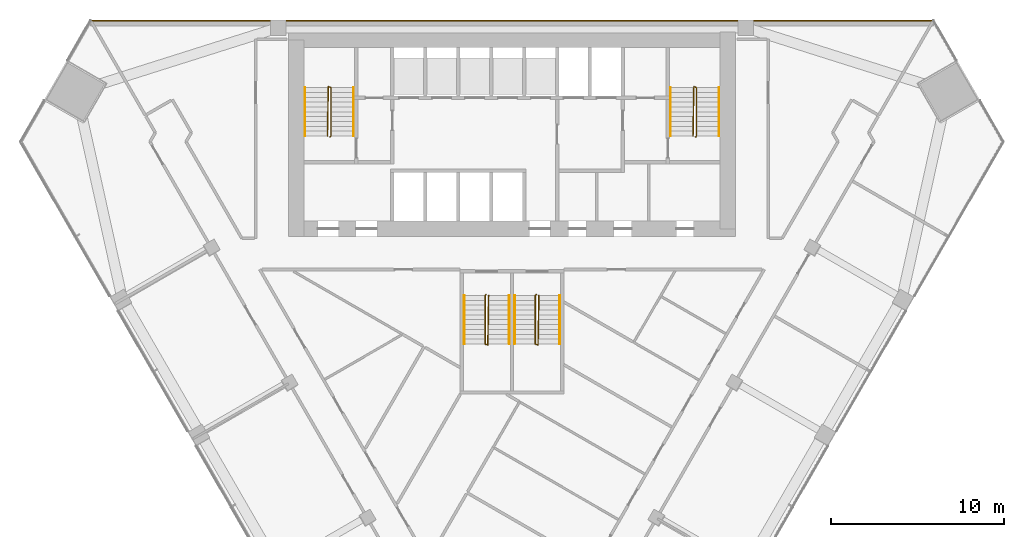
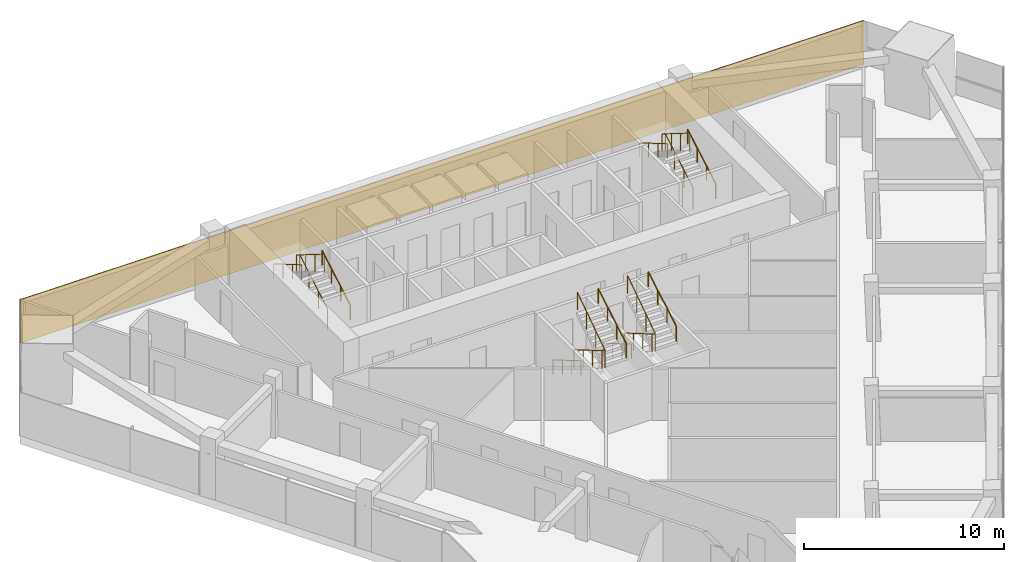
# One storey, part 13 of 14: 12 railings, 1 covering.
"""IFC4 building model written with IfcOpenShell, lengths in metres."""

from ifc_helpers import new_model, si_unit, direction, frame, frame_2d, origin, origin_2d, place, context, subcontext, project, spatial, rectangle, circle, extrude, material, layer, layer_set, type_object, element, save


model = new_model("IFC4")

# Units and contexts
model_context = context("Model", 3, precision=1e-05, world=origin(), true_north=direction((0.0, 1.0)))
body_context = subcontext(model_context, "Body", "Model", "MODEL_VIEW")
ifc_project = project(units=[si_unit("LENGTHUNIT", "METRE"), si_unit("AREAUNIT", "SQUARE_METRE"), si_unit("VOLUMEUNIT", "CUBIC_METRE"), si_unit("PLANEANGLEUNIT", "RADIAN"), si_unit("MASSUNIT", "GRAM", prefix="KILO")], contexts=[model_context])

# Site, building, storey
site_placement = place(None, origin())
site = spatial("IfcSite", under=ifc_project, at=site_placement, CompositionType="ELEMENT")
building_placement = place(site_placement, origin())
building = spatial("IfcBuilding", under=site, at=building_placement, Name="Altiplano Prism Tower", CompositionType="ELEMENT")
storey_placement = place(building_placement, frame((0.0, 0.0, 115.199951171875)))
storey = spatial("IfcBuildingStorey", under=building, at=storey_placement, Name="L29", CompositionType="ELEMENT", Elevation=115.199951171875)

# Railings
ifc_material_1 = material(Name="Steel S355", Category="steel")
railing_type_1 = type_object("IfcRailingType", Name="Stair guard 1100", PredefinedType="GUARDRAIL", material=ifc_material_1)
railing_1_placement = place(storey_placement, frame((74.5, 98.25, 0.0)))
element("IfcRailing", 1, at=railing_1_placement, inside=storey, type_object=railing_type_1, Name="L29 ST1 stair guard 1", PredefinedType="GUARDRAIL", context=body_context, shape_type="SweptSolid", body=[
    extrude(circle(Radius=0.02392578125, at=origin_2d()), frame((0.0, 0.0, 1.076171875), z_axis=(0.280808744504, 0.280808744504, 0.917765164963), x_axis=(-0.707106781187, 0.707106781187, 0.0)), (0.0, 0.0, 1.0), 0.17822265625),
    extrude(circle(Radius=0.02392578125, at=origin_2d()), frame((0.050048828125, 0.050048828125, 1.23974609375), z_axis=(0.0, 0.863360870873, 0.504586966384), x_axis=(-1.0, 0.0, 0.0)), (0.0, 0.0, 1.0), 3.2431640625),
    extrude(circle(Radius=0.02392578125, at=origin_2d()), frame((0.050048828125, 2.85009765625, 2.8759765625), z_axis=(-0.949145278916, 0.314838433982, 0.0), x_axis=(-0.314838433982, -0.949145278916, 0.0)), (0.0, 0.0, 1.0), 0.158203125),
    extrude(circle(Radius=0.02392578125, at=origin_2d()), frame((-0.10009765625, 2.89990234375, 2.8759765625), z_axis=(-0.01477401265, -0.845377694409, 0.533964682676), x_axis=(0.999847325713, -0.01747355902, 0.0)), (0.0, 0.0, 1.0), 3.37109375),
    extrude(circle(Radius=0.02099609375, at=origin_2d()), origin(), (0.0, 0.0, 1.0), 1.052001953125),
    extrude(circle(Radius=0.02099609375, at=origin_2d()), frame((0.050048828125, 0.050048828125, 0.16357421875)), (0.0, 0.0, 1.0), 1.052001953125),
    extrude(circle(Radius=0.02099609375, at=origin_2d()), frame((0.050048828125, 0.9833984375, 0.708984375)), (0.0, 0.0, 1.0), 1.052001953125),
    extrude(circle(Radius=0.02099609375, at=origin_2d()), frame((0.050048828125, 1.916748046875, 1.254638671875)), (0.0, 0.0, 1.0), 1.052001953125),
    extrude(circle(Radius=0.02099609375, at=origin_2d()), frame((0.050048828125, 2.85009765625, 1.800048828125)), (0.0, 0.0, 1.0), 1.052001953125),
    extrude(circle(Radius=0.02099609375, at=origin_2d()), frame((-0.10009765625, 2.89990234375, 1.800048828125)), (0.0, 0.0, 1.0), 1.052001953125),
    extrude(circle(Radius=0.02099609375, at=origin_2d()), frame((-0.11669921875, 1.949951171875, 2.400146484375)), (0.0, 0.0, 1.0), 1.052001953125),
    extrude(circle(Radius=0.02099609375, at=origin_2d()), frame((-0.13330078125, 1.0, 3.0)), (0.0, 0.0, 1.0), 1.052001953125),
    extrude(circle(Radius=0.02099609375, at=origin_2d()), frame((-0.14990234375, 0.050048828125, 3.60009765625)), (0.0, 0.0, 1.0), 1.052001953125),
])
railing_2_placement = place(storey_placement, frame((95.60009765625, 98.25, 0.0)))
element("IfcRailing", 2, at=railing_2_placement, inside=storey, type_object=railing_type_1, Name="L29 ST2 stair guard 1", PredefinedType="GUARDRAIL", context=body_context, shape_type="SweptSolid", body=[
    extrude(circle(Radius=0.02392578125, at=origin_2d()), frame((0.0, 0.0, 1.076171875), z_axis=(0.279546231943, 0.280916556609, 0.91811752648), x_axis=(-0.708833529934, 0.705375805398, 0.0)), (0.0, 0.0, 1.0), 0.17822265625),
    extrude(circle(Radius=0.02392578125, at=origin_2d()), frame((0.0498046875, 0.050048828125, 1.23974609375), z_axis=(0.0, 0.863360870873, 0.504586966384), x_axis=(-1.0, 0.0, 0.0)), (0.0, 0.0, 1.0), 3.2431640625),
    extrude(circle(Radius=0.02392578125, at=origin_2d()), frame((0.0498046875, 2.85009765625, 2.8759765625), z_axis=(-0.948991962702, 0.315300261223, 0.0), x_axis=(-0.315300261223, -0.948991962702, 0.0)), (0.0, 0.0, 1.0), 0.157958984375),
    extrude(circle(Radius=0.02392578125, at=origin_2d()), frame((-0.10009765625, 2.89990234375, 2.8759765625), z_axis=(-0.014846418356, -0.845376787675, 0.533964109957), x_axis=(0.999845825584, -0.017559187376, 0.0)), (0.0, 0.0, 1.0), 3.37109375),
    extrude(circle(Radius=0.02099609375, at=origin_2d()), origin(), (0.0, 0.0, 1.0), 1.052001953125),
    extrude(circle(Radius=0.02099609375, at=origin_2d()), frame((0.0498046875, 0.050048828125, 0.16357421875)), (0.0, 0.0, 1.0), 1.052001953125),
    extrude(circle(Radius=0.02099609375, at=origin_2d()), frame((0.0498046875, 0.9833984375, 0.708984375)), (0.0, 0.0, 1.0), 1.052001953125),
    extrude(circle(Radius=0.02099609375, at=origin_2d()), frame((0.0498046875, 1.916748046875, 1.254638671875)), (0.0, 0.0, 1.0), 1.052001953125),
    extrude(circle(Radius=0.02099609375, at=origin_2d()), frame((0.0498046875, 2.85009765625, 1.800048828125)), (0.0, 0.0, 1.0), 1.052001953125),
    extrude(circle(Radius=0.02099609375, at=origin_2d()), frame((-0.10009765625, 2.89990234375, 1.800048828125)), (0.0, 0.0, 1.0), 1.052001953125),
    extrude(circle(Radius=0.02099609375, at=origin_2d()), frame((-0.11669921875, 1.949951171875, 2.400146484375)), (0.0, 0.0, 1.0), 1.052001953125),
    extrude(circle(Radius=0.02099609375, at=origin_2d()), frame((-0.133544921875, 1.0, 3.0)), (0.0, 0.0, 1.0), 1.052001953125),
    extrude(circle(Radius=0.02099609375, at=origin_2d()), frame((-0.150146484375, 0.050048828125, 3.60009765625)), (0.0, 0.0, 1.0), 1.052001953125),
])
railing_3_placement = place(storey_placement, frame((83.5, 89.14990234375, 0.0)))
element("IfcRailing", 3, at=railing_3_placement, inside=storey, type_object=railing_type_1, Name="L29 ST3A stair guard 1", PredefinedType="GUARDRAIL", context=body_context, shape_type="SweptSolid", body=[
    extrude(circle(Radius=0.02392578125, at=origin_2d()), frame((0.0, 0.0, 1.076171875), z_axis=(-0.280916556609, -0.279546231943, 0.91811752648), x_axis=(0.705375805398, -0.708833529934, 0.0)), (0.0, 0.0, 1.0), 0.17822265625),
    extrude(circle(Radius=0.02392578125, at=origin_2d()), frame((-0.050048828125, -0.0498046875, 1.23974609375), z_axis=(0.0, -0.863360870873, 0.504586966384), x_axis=(1.0, 0.0, 0.0)), (0.0, 0.0, 1.0), 3.2431640625),
    extrude(circle(Radius=0.02392578125, at=origin_2d()), frame((-0.050048828125, -2.849853515625, 2.8759765625), z_axis=(0.948683298051, -0.316227766017, 0.0), x_axis=(0.316227766017, 0.948683298051, 0.0)), (0.0, 0.0, 1.0), 0.158203125),
    extrude(circle(Radius=0.02392578125, at=origin_2d()), frame((0.10009765625, -2.89990234375, 2.8759765625), z_axis=(0.014773108175, 0.84539835705, 0.533931993021), x_axis=(-0.999847351862, 0.017472062685, 0.0)), (0.0, 0.0, 1.0), 3.371337890625),
    extrude(circle(Radius=0.02099609375, at=origin_2d()), origin(), (0.0, 0.0, 1.0), 1.052001953125),
    extrude(circle(Radius=0.02099609375, at=origin_2d()), frame((-0.050048828125, -0.0498046875, 0.16357421875)), (0.0, 0.0, 1.0), 1.052001953125),
    extrude(circle(Radius=0.02099609375, at=origin_2d()), frame((-0.050048828125, -0.983154296875, 0.708984375)), (0.0, 0.0, 1.0), 1.052001953125),
    extrude(circle(Radius=0.02099609375, at=origin_2d()), frame((-0.050048828125, -1.91650390625, 1.254638671875)), (0.0, 0.0, 1.0), 1.052001953125),
    extrude(circle(Radius=0.02099609375, at=origin_2d()), frame((-0.050048828125, -2.849853515625, 1.800048828125)), (0.0, 0.0, 1.0), 1.052001953125),
    extrude(circle(Radius=0.02099609375, at=origin_2d()), frame((0.10009765625, -2.89990234375, 1.800048828125)), (0.0, 0.0, 1.0), 1.052001953125),
    extrude(circle(Radius=0.02099609375, at=origin_2d()), frame((0.11669921875, -1.949951171875, 2.400146484375)), (0.0, 0.0, 1.0), 1.052001953125),
    extrude(circle(Radius=0.02099609375, at=origin_2d()), frame((0.13330078125, -0.999755859375, 3.0)), (0.0, 0.0, 1.0), 1.052001953125),
    extrude(circle(Radius=0.02099609375, at=origin_2d()), frame((0.14990234375, -0.0498046875, 3.60009765625)), (0.0, 0.0, 1.0), 1.052001953125),
])
railing_4_placement = place(storey_placement, frame((86.39990234375, 89.14990234375, 0.0)))
element("IfcRailing", 4, at=railing_4_placement, inside=storey, type_object=railing_type_1, Name="L29 ST3B stair guard 1", PredefinedType="GUARDRAIL", context=body_context, shape_type="SweptSolid", body=[
    extrude(circle(Radius=0.02392578125, at=origin_2d()), frame((0.0, 0.0, 1.076171875), z_axis=(-0.279653641804, -0.279653641804, 0.918470294159), x_axis=(0.707106781187, -0.707106781187, 0.0)), (0.0, 0.0, 1.0), 0.177978515625),
    extrude(circle(Radius=0.02392578125, at=origin_2d()), frame((-0.0498046875, -0.0498046875, 1.23974609375), z_axis=(0.0, -0.863360870873, 0.504586966384), x_axis=(1.0, 0.0, 0.0)), (0.0, 0.0, 1.0), 3.2431640625),
    extrude(circle(Radius=0.02392578125, at=origin_2d()), frame((-0.0498046875, -2.849853515625, 2.8759765625), z_axis=(0.948528701346, -0.316691178788, 0.0), x_axis=(0.316691178788, 0.948528701346, 0.0)), (0.0, 0.0, 1.0), 0.157958984375),
    extrude(circle(Radius=0.02392578125, at=origin_2d()), frame((0.10009765625, -2.89990234375, 2.8759765625), z_axis=(0.014845509451, 0.845397450405, 0.533931420407), x_axis=(-0.999845851991, 0.017557683712, 0.0)), (0.0, 0.0, 1.0), 3.371337890625),
    extrude(circle(Radius=0.02099609375, at=origin_2d()), origin(), (0.0, 0.0, 1.0), 1.052001953125),
    extrude(circle(Radius=0.02099609375, at=origin_2d()), frame((-0.0498046875, -0.0498046875, 0.16357421875)), (0.0, 0.0, 1.0), 1.052001953125),
    extrude(circle(Radius=0.02099609375, at=origin_2d()), frame((-0.0498046875, -0.983154296875, 0.708984375)), (0.0, 0.0, 1.0), 1.052001953125),
    extrude(circle(Radius=0.02099609375, at=origin_2d()), frame((-0.0498046875, -1.91650390625, 1.254638671875)), (0.0, 0.0, 1.0), 1.052001953125),
    extrude(circle(Radius=0.02099609375, at=origin_2d()), frame((-0.0498046875, -2.849853515625, 1.800048828125)), (0.0, 0.0, 1.0), 1.052001953125),
    extrude(circle(Radius=0.02099609375, at=origin_2d()), frame((0.10009765625, -2.89990234375, 1.800048828125)), (0.0, 0.0, 1.0), 1.052001953125),
    extrude(circle(Radius=0.02099609375, at=origin_2d()), frame((0.11669921875, -1.949951171875, 2.400146484375)), (0.0, 0.0, 1.0), 1.052001953125),
    extrude(circle(Radius=0.02099609375, at=origin_2d()), frame((0.133544921875, -0.999755859375, 3.0)), (0.0, 0.0, 1.0), 1.052001953125),
    extrude(circle(Radius=0.02099609375, at=origin_2d()), frame((0.150146484375, -0.0498046875, 3.60009765625)), (0.0, 0.0, 1.0), 1.052001953125),
])
railing_type_2 = type_object("IfcRailingType", Name="Stair handrail 900", PredefinedType="HANDRAIL", material=ifc_material_1)
railing_5_placement = place(storey_placement, frame((75.85009765625, 98.300048828125, 0.16357421875)))
element("IfcRailing", 5, at=railing_5_placement, inside=storey, type_object=railing_type_2, Name="L29 ST1 stair handrail 1", PredefinedType="HANDRAIL", context=body_context, shape_type="SweptSolid", body=[
    extrude(circle(Radius=0.02392578125, at=origin_2d()), frame((0.0, 0.0, 0.8759765625), z_axis=(0.0, 0.863360870873, 0.504586966384), x_axis=(-1.0, 0.0, 0.0)), (0.0, 0.0, 1.0), 3.2431640625),
    extrude(circle(Radius=0.02099609375, at=origin_2d()), origin(), (0.0, 0.0, 1.0), 0.851806640625),
    extrude(circle(Radius=0.02099609375, at=origin_2d()), frame((0.0, 0.933349609375, 0.54541015625)), (0.0, 0.0, 1.0), 0.851806640625),
    extrude(circle(Radius=0.02099609375, at=origin_2d()), frame((0.0, 1.86669921875, 1.091064453125)), (0.0, 0.0, 1.0), 0.851806640625),
    extrude(circle(Radius=0.02099609375, at=origin_2d()), frame((0.0, 2.800048828125, 1.636474609375)), (0.0, 0.0, 1.0), 0.851806640625),
])
railing_6_placement = place(storey_placement, frame((73.050048828125, 101.10009765625, 1.963623046875)))
element("IfcRailing", 6, at=railing_6_placement, inside=storey, type_object=railing_type_2, Name="L29 ST1 stair handrail 2", PredefinedType="HANDRAIL", context=body_context, shape_type="SweptSolid", body=[
    extrude(circle(Radius=0.02392578125, at=origin_2d()), frame((0.0, 0.0, 0.8759765625), z_axis=(0.0, -0.863360870873, 0.504586966384), x_axis=(1.0, 0.0, 0.0)), (0.0, 0.0, 1.0), 3.2431640625),
    extrude(circle(Radius=0.02099609375, at=origin_2d()), origin(), (0.0, 0.0, 1.0), 0.851806640625),
    extrude(circle(Radius=0.02099609375, at=origin_2d()), frame((0.0, -0.933349609375, 0.54541015625)), (0.0, 0.0, 1.0), 0.851806640625),
    extrude(circle(Radius=0.02099609375, at=origin_2d()), frame((0.0, -1.86669921875, 1.091064453125)), (0.0, 0.0, 1.0), 0.851806640625),
    extrude(circle(Radius=0.02099609375, at=origin_2d()), frame((0.0, -2.800048828125, 1.636474609375)), (0.0, 0.0, 1.0), 0.851806640625),
])
railing_7_placement = place(storey_placement, frame((96.949951171875, 98.300048828125, 0.16357421875)))
element("IfcRailing", 7, at=railing_7_placement, inside=storey, type_object=railing_type_2, Name="L29 ST2 stair handrail 1", PredefinedType="HANDRAIL", context=body_context, shape_type="SweptSolid", body=[
    extrude(circle(Radius=0.02392578125, at=origin_2d()), frame((0.0, 0.0, 0.8759765625), z_axis=(0.0, 0.863360870873, 0.504586966384), x_axis=(-1.0, 0.0, 0.0)), (0.0, 0.0, 1.0), 3.2431640625),
    extrude(circle(Radius=0.02099609375, at=origin_2d()), origin(), (0.0, 0.0, 1.0), 0.851806640625),
    extrude(circle(Radius=0.02099609375, at=origin_2d()), frame((0.0, 0.933349609375, 0.54541015625)), (0.0, 0.0, 1.0), 0.851806640625),
    extrude(circle(Radius=0.02099609375, at=origin_2d()), frame((0.0, 1.86669921875, 1.091064453125)), (0.0, 0.0, 1.0), 0.851806640625),
    extrude(circle(Radius=0.02099609375, at=origin_2d()), frame((0.0, 2.800048828125, 1.636474609375)), (0.0, 0.0, 1.0), 0.851806640625),
])
for number, where, name in (
    (8, (94.14990234375, 101.10009765625, 1.963623046875), "L29 ST2 stair handrail 2"),
    (9, (82.25, 89.10009765625, 0.16357421875), "L29 ST3A stair handrail 1"),
):
    element("IfcRailing", number, at=place(storey_placement, frame(where)), inside=storey, type_object=railing_type_2, Name=name, PredefinedType="HANDRAIL", context=body_context, shape_type="SweptSolid", body=[
        extrude(circle(Radius=0.02392578125, at=origin_2d()), frame((0.0, 0.0, 0.8759765625), z_axis=(0.0, -0.863360870873, 0.504586966384), x_axis=(1.0, 0.0, 0.0)), (0.0, 0.0, 1.0), 3.2431640625),
        extrude(circle(Radius=0.02099609375, at=origin_2d()), origin(), (0.0, 0.0, 1.0), 0.851806640625),
        extrude(circle(Radius=0.02099609375, at=origin_2d()), frame((0.0, -0.933349609375, 0.54541015625)), (0.0, 0.0, 1.0), 0.851806640625),
        extrude(circle(Radius=0.02099609375, at=origin_2d()), frame((0.0, -1.86669921875, 1.091064453125)), (0.0, 0.0, 1.0), 0.851806640625),
        extrude(circle(Radius=0.02099609375, at=origin_2d()), frame((0.0, -2.800048828125, 1.636474609375)), (0.0, 0.0, 1.0), 0.851806640625),
    ])
railing_8_placement = place(storey_placement, frame((84.85009765625, 86.300048828125, 1.963623046875)))
element("IfcRailing", 10, at=railing_8_placement, inside=storey, type_object=railing_type_2, Name="L29 ST3A stair handrail 2", PredefinedType="HANDRAIL", context=body_context, shape_type="SweptSolid", body=[
    extrude(circle(Radius=0.02392578125, at=origin_2d()), frame((0.0, 0.0, 0.8759765625), z_axis=(0.0, 0.863360870873, 0.504586966384), x_axis=(-1.0, 0.0, 0.0)), (0.0, 0.0, 1.0), 3.2431640625),
    extrude(circle(Radius=0.02099609375, at=origin_2d()), origin(), (0.0, 0.0, 1.0), 0.851806640625),
    extrude(circle(Radius=0.02099609375, at=origin_2d()), frame((0.0, 0.933349609375, 0.54541015625)), (0.0, 0.0, 1.0), 0.851806640625),
    extrude(circle(Radius=0.02099609375, at=origin_2d()), frame((0.0, 1.86669921875, 1.091064453125)), (0.0, 0.0, 1.0), 0.851806640625),
    extrude(circle(Radius=0.02099609375, at=origin_2d()), frame((0.0, 2.800048828125, 1.636474609375)), (0.0, 0.0, 1.0), 0.851806640625),
])
railing_9_placement = place(storey_placement, frame((85.14990234375, 89.10009765625, 0.16357421875)))
element("IfcRailing", 11, at=railing_9_placement, inside=storey, type_object=railing_type_2, Name="L29 ST3B stair handrail 1", PredefinedType="HANDRAIL", context=body_context, shape_type="SweptSolid", body=[
    extrude(circle(Radius=0.02392578125, at=origin_2d()), frame((0.0, 0.0, 0.8759765625), z_axis=(0.0, -0.863360870873, 0.504586966384), x_axis=(1.0, 0.0, 0.0)), (0.0, 0.0, 1.0), 3.2431640625),
    extrude(circle(Radius=0.02099609375, at=origin_2d()), origin(), (0.0, 0.0, 1.0), 0.851806640625),
    extrude(circle(Radius=0.02099609375, at=origin_2d()), frame((0.0, -0.933349609375, 0.54541015625)), (0.0, 0.0, 1.0), 0.851806640625),
    extrude(circle(Radius=0.02099609375, at=origin_2d()), frame((0.0, -1.86669921875, 1.091064453125)), (0.0, 0.0, 1.0), 0.851806640625),
    extrude(circle(Radius=0.02099609375, at=origin_2d()), frame((0.0, -2.800048828125, 1.636474609375)), (0.0, 0.0, 1.0), 0.851806640625),
])
railing_10_placement = place(storey_placement, frame((87.75, 86.300048828125, 1.963623046875)))
element("IfcRailing", 12, at=railing_10_placement, inside=storey, type_object=railing_type_2, Name="L29 ST3B stair handrail 2", PredefinedType="HANDRAIL", context=body_context, shape_type="SweptSolid", body=[
    extrude(circle(Radius=0.02392578125, at=origin_2d()), frame((0.0, 0.0, 0.8759765625), z_axis=(0.0, 0.863360870873, 0.504586966384), x_axis=(-1.0, 0.0, 0.0)), (0.0, 0.0, 1.0), 3.2431640625),
    extrude(circle(Radius=0.02099609375, at=origin_2d()), origin(), (0.0, 0.0, 1.0), 0.851806640625),
    extrude(circle(Radius=0.02099609375, at=origin_2d()), frame((0.0, 0.933349609375, 0.54541015625)), (0.0, 0.0, 1.0), 0.851806640625),
    extrude(circle(Radius=0.02099609375, at=origin_2d()), frame((0.0, 1.86669921875, 1.091064453125)), (0.0, 0.0, 1.0), 0.851806640625),
    extrude(circle(Radius=0.02099609375, at=origin_2d()), frame((0.0, 2.800048828125, 1.636474609375)), (0.0, 0.0, 1.0), 0.851806640625),
])

# Covering
ifc_material_2 = material(Name="Warm limestone cast stone", Category="masonry")
ifc_layer = layer(ifc_material_2, 0.06005859375)
ifc_layer_set = layer_set([ifc_layer], Name="Warm limestone cast stone")
covering_type = type_object("IfcCoveringType", Name="Stone cladding 60", PredefinedType="CLADDING", material=ifc_layer_set)
covering_placement = place(storey_placement, frame((60.66064453125, 104.969970703125, 0.0), z_axis=(0.0, 0.0, 1.0), x_axis=(1.0, 0.0, 0.0)))
element("IfcCovering", 13, at=covering_placement, inside=storey, type_object=covering_type, Name="Stone cladding north face L29", PredefinedType="CLADDING", context=body_context, shape_type="SweptSolid", body=[
    extrude(rectangle(XDim=48.6787109375, YDim=0.06005859375, at=frame_2d((24.33935546875, 0.0))), origin(), (0.0, 0.0, 1.0), 2.650146484375),
])

save(model, "model.ifc")
